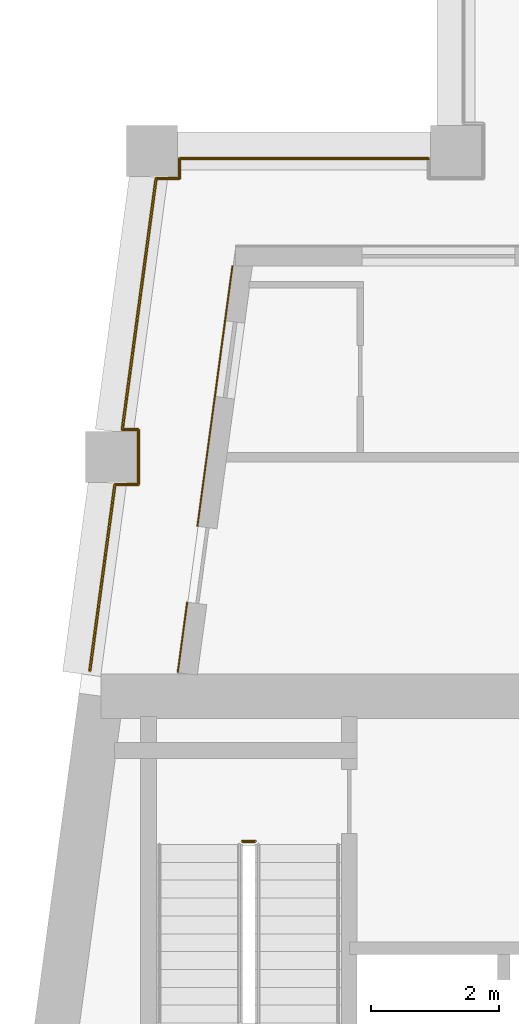
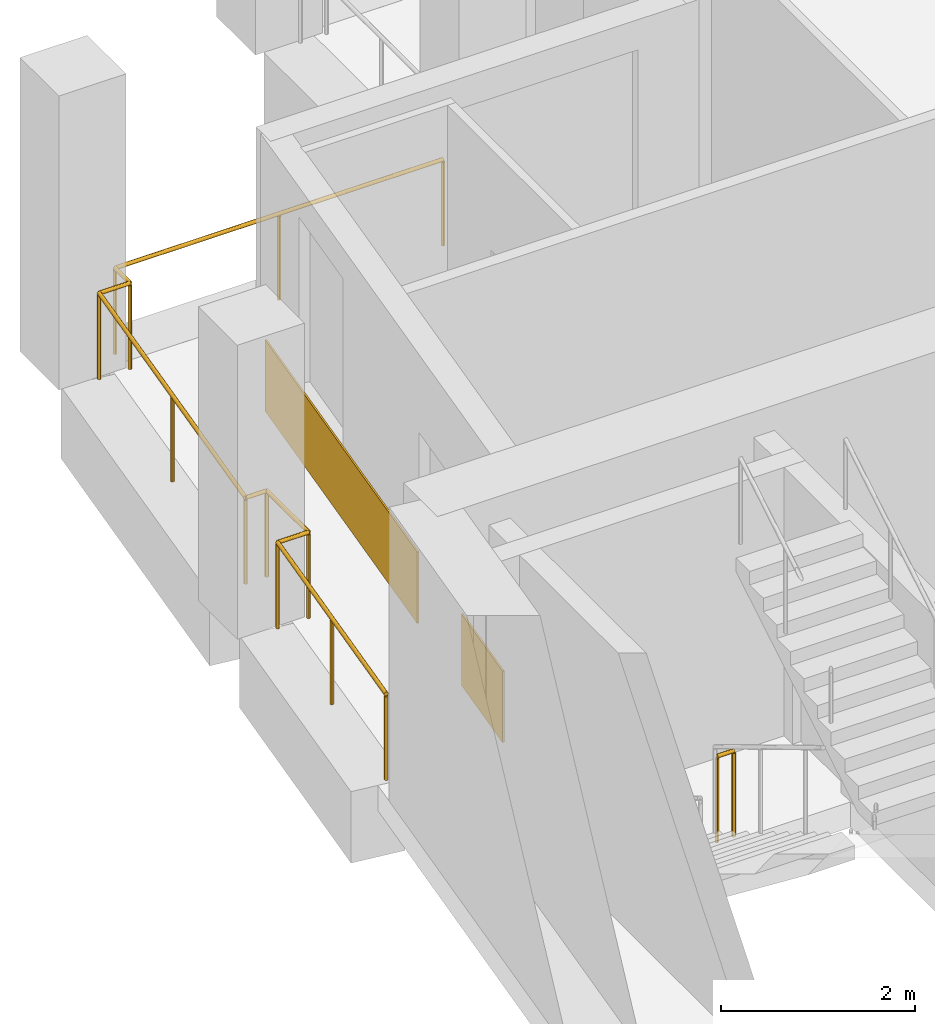
# One storey, part 10 of 13: 2 coverings, 2 railings.
"""IFC4 building model written with IfcOpenShell, lengths in metres."""

from ifc_helpers import new_model, si_unit, direction, frame, origin, origin_2d, place, context, subcontext, project, spatial, rectangle, circle, extrude, material, layer, layer_set, type_object, element, save


model = new_model("IFC4")

# Units and contexts
model_context = context("Model", 3, precision=1e-05, world=origin(), true_north=direction((0.0, 1.0)))
body_context = subcontext(model_context, "Body", "Model", "MODEL_VIEW")
ifc_project = project(units=[si_unit("LENGTHUNIT", "METRE"), si_unit("AREAUNIT", "SQUARE_METRE"), si_unit("VOLUMEUNIT", "CUBIC_METRE"), si_unit("PLANEANGLEUNIT", "RADIAN"), si_unit("MASSUNIT", "GRAM", prefix="KILO")], contexts=[model_context])

# Site, building, storey
site_placement = place(None, origin())
site = spatial("IfcSite", under=ifc_project, at=site_placement, CompositionType="ELEMENT")
building_placement = place(site_placement, origin())
building = spatial("IfcBuilding", under=site, at=building_placement, Name="Candeia Pilgrim Tower and Theatre", CompositionType="ELEMENT")
storey_placement = place(building_placement, frame((0.0, 0.0, 262.699951171875)))
storey = spatial("IfcBuildingStorey", under=building, at=storey_placement, Name="L63", CompositionType="ELEMENT", Elevation=262.699951171875)

# Railing
ifc_material_1 = material(Name="Stainless steel balustrade", Category="steel")
railing_type_1 = type_object("IfcRailingType", Name="G1 loggia guard 1100", PredefinedType="GUARDRAIL", material=ifc_material_1)
railing_1_placement = place(storey_placement, frame((88.758544921875, 132.449951171875, 0.0)))
element("IfcRailing", 1, at=railing_1_placement, inside=storey, type_object=railing_type_1, Name="Guard L63.4", PredefinedType="GUARDRAIL", context=body_context, shape_type="SweptSolid", body=[
    extrude(circle(Radius=0.02392578125, at=origin_2d()), frame((0.0, 0.0, 1.076171875), z_axis=(0.133401056725, 0.991062136329, 0.0), x_axis=(-0.991062136329, 0.133401056725, 0.0)), (0.0, 0.0, 1.0), 2.946533203125),
    extrude(circle(Radius=0.02392578125, at=origin_2d()), frame((0.39306640625, 2.920166015625, 1.076171875), z_axis=(1.0, 0.0, 0.0), x_axis=(0.0, 1.0, 0.0)), (0.0, 0.0, 1.0), 0.366943359375),
    extrude(circle(Radius=0.02392578125, at=origin_2d()), frame((0.760009765625, 2.920166015625, 1.076171875), z_axis=(0.0, 1.0, 0.0), x_axis=(-1.0, 0.0, 0.0)), (0.0, 0.0, 1.0), 0.85986328125),
    extrude(circle(Radius=0.02392578125, at=origin_2d()), frame((0.760009765625, 3.780029296875, 1.076171875), z_axis=(-1.0, 0.0, 0.0), x_axis=(0.0, -1.0, 0.0)), (0.0, 0.0, 1.0), 0.251220703125),
    extrude(circle(Radius=0.02392578125, at=origin_2d()), frame((0.5087890625, 3.780029296875, 1.076171875), z_axis=(0.133446811067, 0.99105597653, 0.0), x_axis=(-0.99105597653, 0.133446811067, 0.0)), (0.0, 0.0, 1.0), 3.9755859375),
    extrude(circle(Radius=0.02392578125, at=origin_2d()), frame((1.039306640625, 7.719970703125, 1.076171875), z_axis=(1.0, 0.0, 0.0), x_axis=(0.0, 1.0, 0.0)), (0.0, 0.0, 1.0), 0.36669921875),
    extrude(circle(Radius=0.02392578125, at=origin_2d()), frame((1.406005859375, 7.719970703125, 1.076171875), z_axis=(0.0, 1.0, 0.0), x_axis=(-1.0, 0.0, 0.0)), (0.0, 0.0, 1.0), 0.31005859375),
    extrude(circle(Radius=0.02392578125, at=origin_2d()), frame((1.406005859375, 8.030029296875, 1.076171875), z_axis=(1.0, 0.0, 0.0), x_axis=(0.0, 1.0, 0.0)), (0.0, 0.0, 1.0), 3.905517578125),
    extrude(circle(Radius=0.02099609375, at=origin_2d()), origin(), (0.0, 0.0, 1.0), 1.052001953125),
    extrude(circle(Radius=0.02099609375, at=origin_2d()), frame((0.196533203125, 1.4599609375, 0.0)), (0.0, 0.0, 1.0), 1.052001953125),
    extrude(circle(Radius=0.02099609375, at=origin_2d()), frame((0.39306640625, 2.920166015625, 0.0)), (0.0, 0.0, 1.0), 1.052001953125),
    extrude(circle(Radius=0.02099609375, at=origin_2d()), frame((0.760009765625, 2.920166015625, 0.0)), (0.0, 0.0, 1.0), 1.052001953125),
    extrude(circle(Radius=0.02099609375, at=origin_2d()), frame((0.760009765625, 3.780029296875, 0.0)), (0.0, 0.0, 1.0), 1.052001953125),
    extrude(circle(Radius=0.02099609375, at=origin_2d()), frame((0.5087890625, 3.780029296875, 0.0)), (0.0, 0.0, 1.0), 1.052001953125),
    extrude(circle(Radius=0.02099609375, at=origin_2d()), frame((0.77392578125, 5.75, 0.0)), (0.0, 0.0, 1.0), 1.052001953125),
    extrude(circle(Radius=0.02099609375, at=origin_2d()), frame((1.039306640625, 7.719970703125, 0.0)), (0.0, 0.0, 1.0), 1.052001953125),
    extrude(circle(Radius=0.02099609375, at=origin_2d()), frame((1.406005859375, 7.719970703125, 0.0)), (0.0, 0.0, 1.0), 1.052001953125),
    extrude(circle(Radius=0.02099609375, at=origin_2d()), frame((1.406005859375, 8.030029296875, 0.0)), (0.0, 0.0, 1.0), 1.052001953125),
    extrude(circle(Radius=0.02099609375, at=origin_2d()), frame((3.35888671875, 8.030029296875, 0.0)), (0.0, 0.0, 1.0), 1.052001953125),
    extrude(circle(Radius=0.02099609375, at=origin_2d()), frame((5.3115234375, 8.030029296875, 0.0)), (0.0, 0.0, 1.0), 1.052001953125),
])

# Coverings
ifc_material_2 = material(Name="Glazed ceramic tile rust")
ifc_layer = layer(ifc_material_2, 0.02001953125)
ifc_layer_set = layer_set([ifc_layer], Name="Glazed ceramic tile rust")
covering_type = type_object("IfcCoveringType", Name="Glazed ceramic tile rust", PredefinedType="CLADDING", material=ifc_layer_set)
covering_1_placement = place(storey_placement, frame((90.720947265625, 136.759521484375, 0.0), z_axis=(0.0, 0.0, 1.0), x_axis=(-0.133412012145, -0.991060661622, 0.0)))
element("IfcCovering", 2, at=covering_1_placement, inside=storey, type_object=covering_type, Name="Tile cladding rust L63", PredefinedType="CLADDING", context=body_context, shape_type="SweptSolid", body=[
    extrude(rectangle(XDim=4.123779296875, YDim=0.02001953125, at=origin_2d()), origin(), (0.0, 0.0, 1.0), 0.89990234375),
])
covering_2_placement = place(storey_placement, frame((90.21142578125, 132.97412109375, 0.0), z_axis=(0.0, 0.0, 1.0), x_axis=(-0.133412012145, -0.991060661622, 0.0)))
element("IfcCovering", 3, at=covering_2_placement, inside=storey, type_object=covering_type, Name="Tile cladding rust L63", PredefinedType="CLADDING", context=body_context, shape_type="SweptSolid", body=[
    extrude(rectangle(XDim=1.115234375, YDim=0.02001953125, at=origin_2d()), origin(), (0.0, 0.0, 1.0), 0.89990234375),
])

# Railing
railing_type_2 = type_object("IfcRailingType", Name="RL-GUARD-1100", PredefinedType="GUARDRAIL", material=ifc_material_1)
railing_2_placement = place(storey_placement, frame((91.152099609375, 129.77490234375, 0.0)))
element("IfcRailing", 4, at=railing_2_placement, inside=storey, type_object=railing_type_2, Name="L63 ST2 stair guard 2", PredefinedType="GUARDRAIL", context=body_context, shape_type="SweptSolid", body=[
    extrude(circle(Radius=0.02392578125, at=origin_2d()), frame((0.0, 0.0, 1.076171875), z_axis=(1.0, 0.0, 0.0), x_axis=(0.0, 1.0, 0.0)), (0.0, 0.0, 1.0), 0.199951171875),
    extrude(circle(Radius=0.02099609375, at=origin_2d()), origin(), (0.0, 0.0, 1.0), 1.052001953125),
    extrude(circle(Radius=0.02099609375, at=origin_2d()), frame((0.199951171875, 0.0, 0.0)), (0.0, 0.0, 1.0), 1.052001953125),
])

save(model, "model.ifc")
